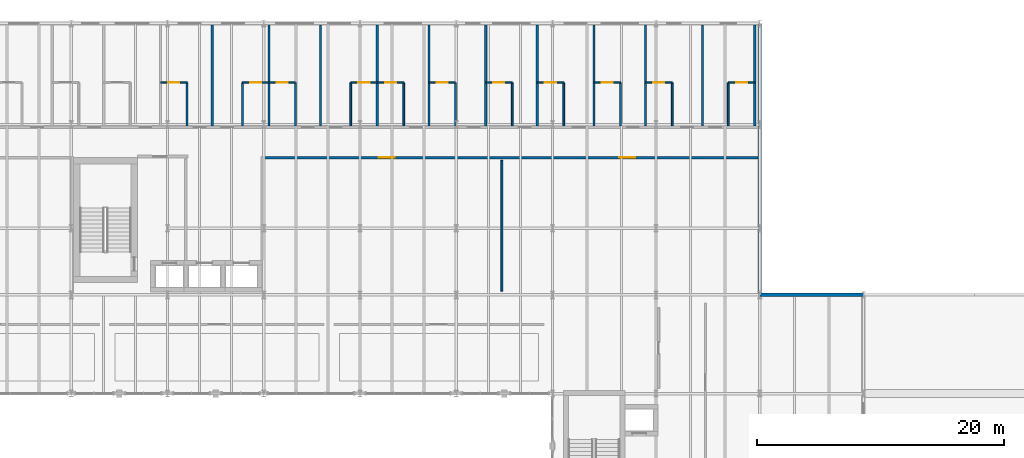
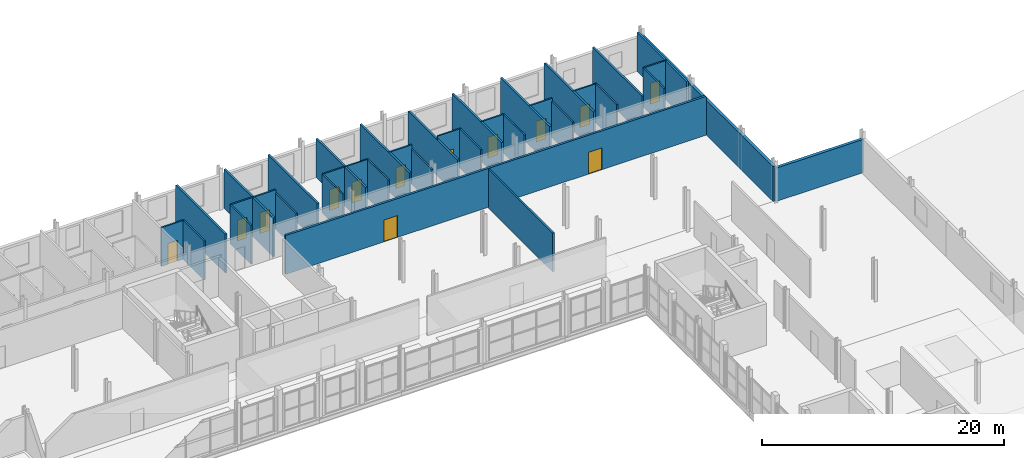
# One storey, part 49 of 58: 37 walls, 13 doors, 13 openings.
"""IFC4 building model written with IfcOpenShell, lengths in metres."""

from ifc_helpers import new_model, si_unit, direction, frame, frame_2d, origin, place, context, subcontext, project, spatial, rectangle, extrude, material, layer, layer_set, type_object, element, fill, save


model = new_model("IFC4")

# Units and contexts
model_context = context("Model", 3, precision=1e-05, world=origin(), true_north=direction((0.0, 1.0)))
body_context = subcontext(model_context, "Body", "Model", "MODEL_VIEW")
ifc_project = project(units=[si_unit("LENGTHUNIT", "METRE"), si_unit("AREAUNIT", "SQUARE_METRE"), si_unit("VOLUMEUNIT", "CUBIC_METRE"), si_unit("PLANEANGLEUNIT", "RADIAN"), si_unit("MASSUNIT", "GRAM", prefix="KILO")], contexts=[model_context])

# Site, building, storey
site_placement = place(None, origin())
site = spatial("IfcSite", under=ifc_project, at=site_placement, CompositionType="ELEMENT")
building_placement = place(site_placement, origin())
building = spatial("IfcBuilding", under=site, at=building_placement, Name="Sefraquen Railside Congress Hotel", CompositionType="ELEMENT")
storey_placement = place(building_placement, frame((0.0, 0.0, 16.199951171875)))
storey = spatial("IfcBuildingStorey", under=building, at=storey_placement, Name="L03", CompositionType="ELEMENT", Elevation=16.199951171875)

# Walls
ifc_material_1 = material(Name="Ochre Rabat calcarenite limestone and Concrete C40/50 backing", Category="masonry")
ifc_layer_1 = layer(ifc_material_1, 0.280029296875)
ifc_layer_set_1 = layer_set([ifc_layer_1], Name="Ochre Rabat calcarenite limestone and Concrete C40/50 backing")
wall_type_1 = type_object("IfcWallType", Name="TW-EW-280", PredefinedType="STANDARD", material=ifc_layer_set_1)
wall_1_placement = place(storey_placement, frame((120.0, 96.0, 0.0), z_axis=(0.0, 0.0, 1.0), x_axis=(1.0, 0.0, 0.0)))
element("IfcWall", 1, at=wall_1_placement, inside=storey, type_object=wall_type_1, Name="Meeting Wing L03 north return wall", PredefinedType="STANDARD", context=body_context, shape_type="SweptSolid", body=[
    extrude(rectangle(XDim=8.39990234375, YDim=0.280029296875, at=frame_2d((4.199951171875, 0.0))), origin(), (0.0, 0.0, 1.0), 3.360107421875),
])
wall_2_placement = place(storey_placement, frame((120.0, 96.0, 0.0), z_axis=(0.0, 0.0, 1.0), x_axis=(0.0, 1.0, 0.0)))
element("IfcWall", 2, at=wall_2_placement, inside=storey, type_object=wall_type_1, Name="Hotel L03 east gable facade wall", PredefinedType="STANDARD", context=body_context, shape_type="SweptSolid", body=[
    extrude(rectangle(XDim=22.0, YDim=0.280029296875, at=frame_2d((11.0, 0.0))), origin(), (0.0, 0.0, 1.0), 3.510009765625),
])
ifc_material_2 = material(Name="Moisture-resistant gypsum board", Category="gypsum")
ifc_layer_2 = layer(ifc_material_2, 0.139892578125)
ifc_layer_set_2 = layer_set([ifc_layer_2], Name="Moisture-resistant gypsum board")
wall_type_2 = type_object("IfcWallType", Name="TW-PW-140", PredefinedType="PARTITIONING", material=ifc_layer_set_2)
wall_3_placement = place(storey_placement, frame((73.590087890625, 109.699951171875, 0.0), z_axis=(0.0, 0.0, 1.0), x_axis=(0.0, 1.0, 0.0)))
element("IfcWall", 3, at=wall_3_placement, inside=storey, type_object=wall_type_2, Name="En-suite bathroom east wall RM-012", PredefinedType="PARTITIONING", context=body_context, shape_type="SweptSolid", body=[
    extrude(rectangle(XDim=3.5, YDim=0.139892578125, at=frame_2d((1.75, 0.0))), origin(), (0.0, 0.0, 1.0), 3.920166015625),
])

# Wall, opening, door
wall_4_placement = place(storey_placement, frame((71.43994140625, 113.199951171875, 0.0), z_axis=(0.0, 0.0, 1.0), x_axis=(1.0, 0.0, 0.0)))
wall_4 = element("IfcWall", 4, at=wall_4_placement, inside=storey, type_object=wall_type_2, Name="En-suite bathroom north wall RM-012", PredefinedType="PARTITIONING", context=body_context, shape_type="SweptSolid", body=[
    extrude(rectangle(XDim=2.150146484375, YDim=0.139892578125, at=frame_2d((1.0751953125, 0.0))), origin(), (0.0, 0.0, 1.0), 3.920166015625),
])
opening_1_placement = place(wall_4_placement, frame((0.625, 0.0, 0.0)))
opening_1 = element("IfcOpeningElement", 5, at=opening_1_placement, cuts=wall_4, Name="Opening ID-02", PredefinedType="OPENING", context=body_context, shape_type="SweptSolid", body=[
    extrude(rectangle(XDim=0.89990234375, YDim=2.10009765625, at=frame_2d((0.449951171875, 1.050048828125))), frame((0.0, 0.079833984375, 0.0), z_axis=(0.0, -1.0, 0.0), x_axis=(1.0, 0.0, 0.0)), (0.0, 0.0, 1.0), 0.159912109375),
])
ifc_material_3 = material(Name="Lacquered cedar joinery", Category="wood")
door_type_1 = type_object("IfcDoorType", Name="TD-ID-02", OperationType="NOTDEFINED", PredefinedType="DOOR", material=ifc_material_3)
door_1_placement = place(opening_1_placement, origin())
door_1 = element("IfcDoor", 6, at=door_1_placement, inside=storey, type_object=door_type_1, Name="En-suite bathroom door RM-012", OperationType="SINGLE_SWING_LEFT", OverallHeight=2.10009765625, OverallWidth=0.89990234375, PredefinedType="DOOR", context=body_context, shape_type="SweptSolid", body=[
    extrude(rectangle(XDim=0.89990234375, YDim=2.10009765625, at=frame_2d((0.449951171875, 1.050048828125))), frame((0.0, 0.02490234375, 0.0), z_axis=(0.0, -1.0, 0.0), x_axis=(1.0, 0.0, 0.0)), (0.0, 0.0, 1.0), 0.050048828125),
])
fill(opening_1, door_1)

# Wall
wall_5_placement = place(storey_placement, frame((78.072021484375, 109.699951171875, 0.0), z_axis=(0.0, 0.0, 1.0), x_axis=(0.0, 1.0, 0.0)))
element("IfcWall", 7, at=wall_5_placement, inside=storey, type_object=wall_type_2, Name="En-suite bathroom west wall RM-013", PredefinedType="PARTITIONING", context=body_context, shape_type="SweptSolid", body=[
    extrude(rectangle(XDim=3.5, YDim=0.139892578125, at=frame_2d((1.75, 0.0))), origin(), (0.0, 0.0, 1.0), 3.920166015625),
])

# Wall, opening, door
wall_6_placement = place(storey_placement, frame((78.072021484375, 113.199951171875, 0.0), z_axis=(0.0, 0.0, 1.0), x_axis=(1.0, 0.0, 0.0)))
wall_6 = element("IfcWall", 8, at=wall_6_placement, inside=storey, type_object=wall_type_2, Name="En-suite bathroom north wall RM-013", PredefinedType="PARTITIONING", context=body_context, shape_type="SweptSolid", body=[
    extrude(rectangle(XDim=2.14990234375, YDim=0.139892578125, at=frame_2d((1.074951171875, 0.0))), origin(), (0.0, 0.0, 1.0), 3.920166015625),
])
opening_2_placement = place(wall_6_placement, frame((0.625, 0.0, 0.0)))
opening_2 = element("IfcOpeningElement", 9, at=opening_2_placement, cuts=wall_6, Name="Opening ID-02", PredefinedType="OPENING", context=body_context, shape_type="SweptSolid", body=[
    extrude(rectangle(XDim=0.89990234375, YDim=2.10009765625, at=frame_2d((0.449951171875, 1.050048828125))), frame((0.0, 0.079833984375, 0.0), z_axis=(0.0, -1.0, 0.0), x_axis=(1.0, 0.0, 0.0)), (0.0, 0.0, 1.0), 0.159912109375),
])
door_2_placement = place(opening_2_placement, origin())
door_2 = element("IfcDoor", 10, at=door_2_placement, inside=storey, type_object=door_type_1, Name="En-suite bathroom door RM-013", OperationType="SINGLE_SWING_LEFT", OverallHeight=2.10009765625, OverallWidth=0.89990234375, PredefinedType="DOOR", context=body_context, shape_type="SweptSolid", body=[
    extrude(rectangle(XDim=0.89990234375, YDim=2.10009765625, at=frame_2d((0.449951171875, 1.050048828125))), frame((0.0, 0.02490234375, 0.0), z_axis=(0.0, -1.0, 0.0), x_axis=(1.0, 0.0, 0.0)), (0.0, 0.0, 1.0), 0.050048828125),
])
fill(opening_2, door_2)

# Wall
wall_7_placement = place(storey_placement, frame((82.3720703125, 109.699951171875, 0.0), z_axis=(0.0, 0.0, 1.0), x_axis=(0.0, 1.0, 0.0)))
element("IfcWall", 11, at=wall_7_placement, inside=storey, type_object=wall_type_2, Name="En-suite bathroom east wall RM-014", PredefinedType="PARTITIONING", context=body_context, shape_type="SweptSolid", body=[
    extrude(rectangle(XDim=3.5, YDim=0.139892578125, at=frame_2d((1.75, 0.0))), origin(), (0.0, 0.0, 1.0), 3.610107421875),
])

# Wall, opening, door
wall_8_placement = place(storey_placement, frame((80.221923828125, 113.199951171875, 0.0), z_axis=(0.0, 0.0, 1.0), x_axis=(1.0, 0.0, 0.0)))
wall_8 = element("IfcWall", 12, at=wall_8_placement, inside=storey, type_object=wall_type_2, Name="En-suite bathroom north wall RM-014", PredefinedType="PARTITIONING", context=body_context, shape_type="SweptSolid", body=[
    extrude(rectangle(XDim=2.150146484375, YDim=0.139892578125, at=frame_2d((1.0751953125, 0.0))), origin(), (0.0, 0.0, 1.0), 3.920166015625),
])
opening_3_placement = place(wall_8_placement, frame((0.625, 0.0, 0.0)))
opening_3 = element("IfcOpeningElement", 13, at=opening_3_placement, cuts=wall_8, Name="Opening ID-02", PredefinedType="OPENING", context=body_context, shape_type="SweptSolid", body=[
    extrude(rectangle(XDim=0.89990234375, YDim=2.10009765625, at=frame_2d((0.449951171875, 1.050048828125))), frame((0.0, 0.079833984375, 0.0), z_axis=(0.0, -1.0, 0.0), x_axis=(1.0, 0.0, 0.0)), (0.0, 0.0, 1.0), 0.159912109375),
])
door_3_placement = place(opening_3_placement, origin())
door_3 = element("IfcDoor", 14, at=door_3_placement, inside=storey, type_object=door_type_1, Name="En-suite bathroom door RM-014", OperationType="SINGLE_SWING_LEFT", OverallHeight=2.10009765625, OverallWidth=0.89990234375, PredefinedType="DOOR", context=body_context, shape_type="SweptSolid", body=[
    extrude(rectangle(XDim=0.89990234375, YDim=2.10009765625, at=frame_2d((0.449951171875, 1.050048828125))), frame((0.0, 0.02490234375, 0.0), z_axis=(0.0, -1.0, 0.0), x_axis=(1.0, 0.0, 0.0)), (0.0, 0.0, 1.0), 0.050048828125),
])
fill(opening_3, door_3)

# Wall
wall_9_placement = place(storey_placement, frame((86.85400390625, 109.699951171875, 0.0), z_axis=(0.0, 0.0, 1.0), x_axis=(0.0, 1.0, 0.0)))
element("IfcWall", 15, at=wall_9_placement, inside=storey, type_object=wall_type_2, Name="En-suite bathroom west wall RM-015", PredefinedType="PARTITIONING", context=body_context, shape_type="SweptSolid", body=[
    extrude(rectangle(XDim=3.5, YDim=0.139892578125, at=frame_2d((1.75, 0.0))), origin(), (0.0, 0.0, 1.0), 3.920166015625),
])

# Wall, opening, door
wall_10_placement = place(storey_placement, frame((86.85400390625, 113.199951171875, 0.0), z_axis=(0.0, 0.0, 1.0), x_axis=(1.0, 0.0, 0.0)))
wall_10 = element("IfcWall", 16, at=wall_10_placement, inside=storey, type_object=wall_type_2, Name="En-suite bathroom north wall RM-015", PredefinedType="PARTITIONING", context=body_context, shape_type="SweptSolid", body=[
    extrude(rectangle(XDim=2.14990234375, YDim=0.139892578125, at=frame_2d((1.074951171875, 0.0))), origin(), (0.0, 0.0, 1.0), 3.920166015625),
])
opening_4_placement = place(wall_10_placement, frame((0.625, 0.0, 0.0)))
opening_4 = element("IfcOpeningElement", 17, at=opening_4_placement, cuts=wall_10, Name="Opening ID-02", PredefinedType="OPENING", context=body_context, shape_type="SweptSolid", body=[
    extrude(rectangle(XDim=0.89990234375, YDim=2.10009765625, at=frame_2d((0.449951171875, 1.050048828125))), frame((0.0, 0.079833984375, 0.0), z_axis=(0.0, -1.0, 0.0), x_axis=(1.0, 0.0, 0.0)), (0.0, 0.0, 1.0), 0.159912109375),
])
door_4_placement = place(opening_4_placement, origin())
door_4 = element("IfcDoor", 18, at=door_4_placement, inside=storey, type_object=door_type_1, Name="En-suite bathroom door RM-015", OperationType="SINGLE_SWING_LEFT", OverallHeight=2.10009765625, OverallWidth=0.89990234375, PredefinedType="DOOR", context=body_context, shape_type="SweptSolid", body=[
    extrude(rectangle(XDim=0.89990234375, YDim=2.10009765625, at=frame_2d((0.449951171875, 1.050048828125))), frame((0.0, 0.02490234375, 0.0), z_axis=(0.0, -1.0, 0.0), x_axis=(1.0, 0.0, 0.0)), (0.0, 0.0, 1.0), 0.050048828125),
])
fill(opening_4, door_4)

# Wall
wall_11_placement = place(storey_placement, frame((91.154052734375, 109.699951171875, 0.0), z_axis=(0.0, 0.0, 1.0), x_axis=(0.0, 1.0, 0.0)))
element("IfcWall", 19, at=wall_11_placement, inside=storey, type_object=wall_type_2, Name="En-suite bathroom east wall RM-016", PredefinedType="PARTITIONING", context=body_context, shape_type="SweptSolid", body=[
    extrude(rectangle(XDim=3.5, YDim=0.139892578125, at=frame_2d((1.75, 0.0))), origin(), (0.0, 0.0, 1.0), 3.920166015625),
])

# Wall, opening, door
wall_12_placement = place(storey_placement, frame((89.00390625, 113.199951171875, 0.0), z_axis=(0.0, 0.0, 1.0), x_axis=(1.0, 0.0, 0.0)))
wall_12 = element("IfcWall", 20, at=wall_12_placement, inside=storey, type_object=wall_type_2, Name="En-suite bathroom north wall RM-016", PredefinedType="PARTITIONING", context=body_context, shape_type="SweptSolid", body=[
    extrude(rectangle(XDim=2.150146484375, YDim=0.139892578125, at=frame_2d((1.0751953125, 0.0))), origin(), (0.0, 0.0, 1.0), 3.920166015625),
])
opening_5_placement = place(wall_12_placement, frame((0.625, 0.0, 0.0)))
opening_5 = element("IfcOpeningElement", 21, at=opening_5_placement, cuts=wall_12, Name="Opening ID-02", PredefinedType="OPENING", context=body_context, shape_type="SweptSolid", body=[
    extrude(rectangle(XDim=0.89990234375, YDim=2.10009765625, at=frame_2d((0.449951171875, 1.050048828125))), frame((0.0, 0.079833984375, 0.0), z_axis=(0.0, -1.0, 0.0), x_axis=(1.0, 0.0, 0.0)), (0.0, 0.0, 1.0), 0.159912109375),
])
door_5_placement = place(opening_5_placement, origin())
door_5 = element("IfcDoor", 22, at=door_5_placement, inside=storey, type_object=door_type_1, Name="En-suite bathroom door RM-016", OperationType="SINGLE_SWING_LEFT", OverallHeight=2.10009765625, OverallWidth=0.89990234375, PredefinedType="DOOR", context=body_context, shape_type="SweptSolid", body=[
    extrude(rectangle(XDim=0.89990234375, YDim=2.10009765625, at=frame_2d((0.449951171875, 1.050048828125))), frame((0.0, 0.02490234375, 0.0), z_axis=(0.0, -1.0, 0.0), x_axis=(1.0, 0.0, 0.0)), (0.0, 0.0, 1.0), 0.050048828125),
])
fill(opening_5, door_5)

# Wall
wall_13_placement = place(storey_placement, frame((95.3349609375, 109.699951171875, 0.0), z_axis=(0.0, 0.0, 1.0), x_axis=(0.0, 1.0, 0.0)))
element("IfcWall", 23, at=wall_13_placement, inside=storey, type_object=wall_type_2, Name="En-suite bathroom east wall RM-017", PredefinedType="PARTITIONING", context=body_context, shape_type="SweptSolid", body=[
    extrude(rectangle(XDim=3.5, YDim=0.139892578125, at=frame_2d((1.75, 0.0))), origin(), (0.0, 0.0, 1.0), 3.510009765625),
])

# Wall, opening, door
wall_14_placement = place(storey_placement, frame((93.18505859375, 113.199951171875, 0.0), z_axis=(0.0, 0.0, 1.0), x_axis=(1.0, 0.0, 0.0)))
wall_14 = element("IfcWall", 24, at=wall_14_placement, inside=storey, type_object=wall_type_2, Name="En-suite bathroom north wall RM-017", PredefinedType="PARTITIONING", context=body_context, shape_type="SweptSolid", body=[
    extrude(rectangle(XDim=2.14990234375, YDim=0.139892578125, at=frame_2d((1.074951171875, 0.0))), origin(), (0.0, 0.0, 1.0), 3.920166015625),
])
opening_6_placement = place(wall_14_placement, frame((0.625, 0.0, 0.0)))
opening_6 = element("IfcOpeningElement", 25, at=opening_6_placement, cuts=wall_14, Name="Opening ID-02", PredefinedType="OPENING", context=body_context, shape_type="SweptSolid", body=[
    extrude(rectangle(XDim=0.89990234375, YDim=2.10009765625, at=frame_2d((0.449951171875, 1.050048828125))), frame((0.0, 0.079833984375, 0.0), z_axis=(0.0, -1.0, 0.0), x_axis=(1.0, 0.0, 0.0)), (0.0, 0.0, 1.0), 0.159912109375),
])
door_6_placement = place(opening_6_placement, origin())
door_6 = element("IfcDoor", 26, at=door_6_placement, inside=storey, type_object=door_type_1, Name="En-suite bathroom door RM-017", OperationType="SINGLE_SWING_LEFT", OverallHeight=2.10009765625, OverallWidth=0.89990234375, PredefinedType="DOOR", context=body_context, shape_type="SweptSolid", body=[
    extrude(rectangle(XDim=0.89990234375, YDim=2.10009765625, at=frame_2d((0.449951171875, 1.050048828125))), frame((0.0, 0.02490234375, 0.0), z_axis=(0.0, -1.0, 0.0), x_axis=(1.0, 0.0, 0.0)), (0.0, 0.0, 1.0), 0.050048828125),
])
fill(opening_6, door_6)

# Wall
wall_15_placement = place(storey_placement, frame((99.93505859375, 109.699951171875, 0.0), z_axis=(0.0, 0.0, 1.0), x_axis=(0.0, 1.0, 0.0)))
element("IfcWall", 27, at=wall_15_placement, inside=storey, type_object=wall_type_2, Name="En-suite bathroom east wall RM-018", PredefinedType="PARTITIONING", context=body_context, shape_type="SweptSolid", body=[
    extrude(rectangle(XDim=3.5, YDim=0.139892578125, at=frame_2d((1.75, 0.0))), origin(), (0.0, 0.0, 1.0), 3.920166015625),
])

# Wall, opening, door
wall_16_placement = place(storey_placement, frame((97.784912109375, 113.199951171875, 0.0), z_axis=(0.0, 0.0, 1.0), x_axis=(1.0, 0.0, 0.0)))
wall_16 = element("IfcWall", 28, at=wall_16_placement, inside=storey, type_object=wall_type_2, Name="En-suite bathroom north wall RM-018", PredefinedType="PARTITIONING", context=body_context, shape_type="SweptSolid", body=[
    extrude(rectangle(XDim=2.150146484375, YDim=0.139892578125, at=frame_2d((1.0751953125, 0.0))), origin(), (0.0, 0.0, 1.0), 3.920166015625),
])
opening_7_placement = place(wall_16_placement, frame((0.625, 0.0, 0.0)))
opening_7 = element("IfcOpeningElement", 29, at=opening_7_placement, cuts=wall_16, Name="Opening ID-02", PredefinedType="OPENING", context=body_context, shape_type="SweptSolid", body=[
    extrude(rectangle(XDim=0.89990234375, YDim=2.10009765625, at=frame_2d((0.449951171875, 1.050048828125))), frame((0.0, 0.079833984375, 0.0), z_axis=(0.0, -1.0, 0.0), x_axis=(1.0, 0.0, 0.0)), (0.0, 0.0, 1.0), 0.159912109375),
])
door_7_placement = place(opening_7_placement, origin())
door_7 = element("IfcDoor", 30, at=door_7_placement, inside=storey, type_object=door_type_1, Name="En-suite bathroom door RM-018", OperationType="SINGLE_SWING_LEFT", OverallHeight=2.10009765625, OverallWidth=0.89990234375, PredefinedType="DOOR", context=body_context, shape_type="SweptSolid", body=[
    extrude(rectangle(XDim=0.89990234375, YDim=2.10009765625, at=frame_2d((0.449951171875, 1.050048828125))), frame((0.0, 0.02490234375, 0.0), z_axis=(0.0, -1.0, 0.0), x_axis=(1.0, 0.0, 0.0)), (0.0, 0.0, 1.0), 0.050048828125),
])
fill(opening_7, door_7)

# Wall
wall_17_placement = place(storey_placement, frame((104.115966796875, 109.699951171875, 0.0), z_axis=(0.0, 0.0, 1.0), x_axis=(0.0, 1.0, 0.0)))
element("IfcWall", 31, at=wall_17_placement, inside=storey, type_object=wall_type_2, Name="En-suite bathroom east wall RM-019", PredefinedType="PARTITIONING", context=body_context, shape_type="SweptSolid", body=[
    extrude(rectangle(XDim=3.5, YDim=0.139892578125, at=frame_2d((1.75, 0.0))), origin(), (0.0, 0.0, 1.0), 3.920166015625),
])

# Wall, opening, door
wall_18_placement = place(storey_placement, frame((101.966064453125, 113.199951171875, 0.0), z_axis=(0.0, 0.0, 1.0), x_axis=(1.0, 0.0, 0.0)))
wall_18 = element("IfcWall", 32, at=wall_18_placement, inside=storey, type_object=wall_type_2, Name="En-suite bathroom north wall RM-019", PredefinedType="PARTITIONING", context=body_context, shape_type="SweptSolid", body=[
    extrude(rectangle(XDim=2.14990234375, YDim=0.139892578125, at=frame_2d((1.074951171875, 0.0))), origin(), (0.0, 0.0, 1.0), 3.920166015625),
])
opening_8_placement = place(wall_18_placement, frame((0.625, 0.0, 0.0)))
opening_8 = element("IfcOpeningElement", 33, at=opening_8_placement, cuts=wall_18, Name="Opening ID-02", PredefinedType="OPENING", context=body_context, shape_type="SweptSolid", body=[
    extrude(rectangle(XDim=0.89990234375, YDim=2.10009765625, at=frame_2d((0.449951171875, 1.050048828125))), frame((0.0, 0.079833984375, 0.0), z_axis=(0.0, -1.0, 0.0), x_axis=(1.0, 0.0, 0.0)), (0.0, 0.0, 1.0), 0.159912109375),
])
door_8_placement = place(opening_8_placement, origin())
door_8 = element("IfcDoor", 34, at=door_8_placement, inside=storey, type_object=door_type_1, Name="En-suite bathroom door RM-019", OperationType="SINGLE_SWING_LEFT", OverallHeight=2.10009765625, OverallWidth=0.89990234375, PredefinedType="DOOR", context=body_context, shape_type="SweptSolid", body=[
    extrude(rectangle(XDim=0.89990234375, YDim=2.10009765625, at=frame_2d((0.449951171875, 1.050048828125))), frame((0.0, 0.02490234375, 0.0), z_axis=(0.0, -1.0, 0.0), x_axis=(1.0, 0.0, 0.0)), (0.0, 0.0, 1.0), 0.050048828125),
])
fill(opening_8, door_8)

# Wall
wall_19_placement = place(storey_placement, frame((108.717041015625, 109.699951171875, 0.0), z_axis=(0.0, 0.0, 1.0), x_axis=(0.0, 1.0, 0.0)))
element("IfcWall", 35, at=wall_19_placement, inside=storey, type_object=wall_type_2, Name="En-suite bathroom east wall RM-020", PredefinedType="PARTITIONING", context=body_context, shape_type="SweptSolid", body=[
    extrude(rectangle(XDim=3.5, YDim=0.139892578125, at=frame_2d((1.75, 0.0))), origin(), (0.0, 0.0, 1.0), 3.610107421875),
])

# Wall, opening, door
wall_20_placement = place(storey_placement, frame((106.56689453125, 113.199951171875, 0.0), z_axis=(0.0, 0.0, 1.0), x_axis=(1.0, 0.0, 0.0)))
wall_20 = element("IfcWall", 36, at=wall_20_placement, inside=storey, type_object=wall_type_2, Name="En-suite bathroom north wall RM-020", PredefinedType="PARTITIONING", context=body_context, shape_type="SweptSolid", body=[
    extrude(rectangle(XDim=2.150146484375, YDim=0.139892578125, at=frame_2d((1.0751953125, 0.0))), origin(), (0.0, 0.0, 1.0), 3.920166015625),
])
opening_9_placement = place(wall_20_placement, frame((0.625, 0.0, 0.0)))
opening_9 = element("IfcOpeningElement", 37, at=opening_9_placement, cuts=wall_20, Name="Opening ID-02", PredefinedType="OPENING", context=body_context, shape_type="SweptSolid", body=[
    extrude(rectangle(XDim=0.89990234375, YDim=2.10009765625, at=frame_2d((0.449951171875, 1.050048828125))), frame((0.0, 0.079833984375, 0.0), z_axis=(0.0, -1.0, 0.0), x_axis=(1.0, 0.0, 0.0)), (0.0, 0.0, 1.0), 0.159912109375),
])
door_9_placement = place(opening_9_placement, origin())
door_9 = element("IfcDoor", 38, at=door_9_placement, inside=storey, type_object=door_type_1, Name="En-suite bathroom door RM-020", OperationType="SINGLE_SWING_LEFT", OverallHeight=2.10009765625, OverallWidth=0.89990234375, PredefinedType="DOOR", context=body_context, shape_type="SweptSolid", body=[
    extrude(rectangle(XDim=0.89990234375, YDim=2.10009765625, at=frame_2d((0.449951171875, 1.050048828125))), frame((0.0, 0.02490234375, 0.0), z_axis=(0.0, -1.0, 0.0), x_axis=(1.0, 0.0, 0.0)), (0.0, 0.0, 1.0), 0.050048828125),
])
fill(opening_9, door_9)

# Wall
wall_21_placement = place(storey_placement, frame((112.89794921875, 109.699951171875, 0.0), z_axis=(0.0, 0.0, 1.0), x_axis=(0.0, 1.0, 0.0)))
element("IfcWall", 39, at=wall_21_placement, inside=storey, type_object=wall_type_2, Name="En-suite bathroom east wall RM-021", PredefinedType="PARTITIONING", context=body_context, shape_type="SweptSolid", body=[
    extrude(rectangle(XDim=3.5, YDim=0.139892578125, at=frame_2d((1.75, 0.0))), origin(), (0.0, 0.0, 1.0), 3.920166015625),
])

# Wall, opening, door
wall_22_placement = place(storey_placement, frame((110.748046875, 113.199951171875, 0.0), z_axis=(0.0, 0.0, 1.0), x_axis=(1.0, 0.0, 0.0)))
wall_22 = element("IfcWall", 40, at=wall_22_placement, inside=storey, type_object=wall_type_2, Name="En-suite bathroom north wall RM-021", PredefinedType="PARTITIONING", context=body_context, shape_type="SweptSolid", body=[
    extrude(rectangle(XDim=2.14990234375, YDim=0.139892578125, at=frame_2d((1.074951171875, 0.0))), origin(), (0.0, 0.0, 1.0), 3.920166015625),
])
opening_10_placement = place(wall_22_placement, frame((0.625, 0.0, 0.0)))
opening_10 = element("IfcOpeningElement", 41, at=opening_10_placement, cuts=wall_22, Name="Opening ID-02", PredefinedType="OPENING", context=body_context, shape_type="SweptSolid", body=[
    extrude(rectangle(XDim=0.89990234375, YDim=2.10009765625, at=frame_2d((0.449951171875, 1.050048828125))), frame((0.0, 0.079833984375, 0.0), z_axis=(0.0, -1.0, 0.0), x_axis=(1.0, 0.0, 0.0)), (0.0, 0.0, 1.0), 0.159912109375),
])
door_10_placement = place(opening_10_placement, origin())
door_10 = element("IfcDoor", 42, at=door_10_placement, inside=storey, type_object=door_type_1, Name="En-suite bathroom door RM-021", OperationType="SINGLE_SWING_LEFT", OverallHeight=2.10009765625, OverallWidth=0.89990234375, PredefinedType="DOOR", context=body_context, shape_type="SweptSolid", body=[
    extrude(rectangle(XDim=0.89990234375, YDim=2.10009765625, at=frame_2d((0.449951171875, 1.050048828125))), frame((0.0, 0.02490234375, 0.0), z_axis=(0.0, -1.0, 0.0), x_axis=(1.0, 0.0, 0.0)), (0.0, 0.0, 1.0), 0.050048828125),
])
fill(opening_10, door_10)

# Wall
wall_23_placement = place(storey_placement, frame((117.449951171875, 109.699951171875, 0.0), z_axis=(0.0, 0.0, 1.0), x_axis=(0.0, 1.0, 0.0)))
element("IfcWall", 43, at=wall_23_placement, inside=storey, type_object=wall_type_2, Name="En-suite bathroom west wall RM-022", PredefinedType="PARTITIONING", context=body_context, shape_type="SweptSolid", body=[
    extrude(rectangle(XDim=3.5, YDim=0.139892578125, at=frame_2d((1.75, 0.0))), origin(), (0.0, 0.0, 1.0), 3.920166015625),
])

# Wall, opening, door
wall_24_placement = place(storey_placement, frame((117.449951171875, 113.199951171875, 0.0), z_axis=(0.0, 0.0, 1.0), x_axis=(1.0, 0.0, 0.0)))
wall_24 = element("IfcWall", 44, at=wall_24_placement, inside=storey, type_object=wall_type_2, Name="En-suite bathroom north wall RM-022", PredefinedType="PARTITIONING", context=body_context, shape_type="SweptSolid", body=[
    extrude(rectangle(XDim=2.150146484375, YDim=0.139892578125, at=frame_2d((1.0751953125, 0.0))), origin(), (0.0, 0.0, 1.0), 3.920166015625),
])
opening_11_placement = place(wall_24_placement, frame((0.625, 0.0, 0.0)))
opening_11 = element("IfcOpeningElement", 45, at=opening_11_placement, cuts=wall_24, Name="Opening ID-02", PredefinedType="OPENING", context=body_context, shape_type="SweptSolid", body=[
    extrude(rectangle(XDim=0.89990234375, YDim=2.10009765625, at=frame_2d((0.449951171875, 1.050048828125))), frame((0.0, 0.079833984375, 0.0), z_axis=(0.0, -1.0, 0.0), x_axis=(1.0, 0.0, 0.0)), (0.0, 0.0, 1.0), 0.159912109375),
])
door_11_placement = place(opening_11_placement, origin())
door_11 = element("IfcDoor", 46, at=door_11_placement, inside=storey, type_object=door_type_1, Name="En-suite bathroom door RM-022", OperationType="SINGLE_SWING_LEFT", OverallHeight=2.10009765625, OverallWidth=0.89990234375, PredefinedType="DOOR", context=body_context, shape_type="SweptSolid", body=[
    extrude(rectangle(XDim=0.89990234375, YDim=2.10009765625, at=frame_2d((0.449951171875, 1.050048828125))), frame((0.0, 0.02490234375, 0.0), z_axis=(0.0, -1.0, 0.0), x_axis=(1.0, 0.0, 0.0)), (0.0, 0.0, 1.0), 0.050048828125),
])
fill(opening_11, door_11)

# Walls
ifc_layer_3 = layer(ifc_material_2, 0.159912109375)
ifc_layer_set_3 = layer_set([ifc_layer_3], Name="Moisture-resistant gypsum board")
wall_type_3 = type_object("IfcWallType", Name="TW-PW-160", PredefinedType="PARTITIONING", material=ifc_layer_set_3)
wall_25_placement = place(storey_placement, frame((99.10009765625, 96.300048828125, 0.0), z_axis=(0.0, 0.0, 1.0), x_axis=(0.0, 1.0, 0.0)))
element("IfcWall", 47, at=wall_25_placement, inside=storey, type_object=wall_type_3, Name="Breakout seminar divider L03", PredefinedType="PARTITIONING", context=body_context, shape_type="SweptSolid", body=[
    extrude(rectangle(XDim=10.599853515625, YDim=0.159912109375, at=frame_2d((5.2998046875, 0.0))), origin(), (0.0, 0.0, 1.0), 3.920166015625),
])
ifc_material_4 = material(Name="Acoustic gypsum board on metal stud", Category="gypsum")
ifc_layer_4 = layer(ifc_material_4, 0.179931640625)
ifc_layer_set_4 = layer_set([ifc_layer_4], Name="Acoustic gypsum board on metal stud")
wall_type_4 = type_object("IfcWallType", Name="TW-PW-180", PredefinedType="PARTITIONING", material=ifc_layer_set_4)
for number, where, z_axis, x_axis, name in (
    (48, (75.62109375, 109.699951171875, 0.0), (0.0, 0.0, 1.0), (0.0, 1.0, 0.0), "Guest room demising wall RM-012"),
    (49, (80.221923828125, 109.699951171875, 0.0), (0.0, 0.0, 1.0), (0.0, 1.0, 0.0), "Guest room demising wall RM-013"),
    (50, (84.403076171875, 109.699951171875, 0.0), (0.0, 0.0, 1.0), (0.0, 1.0, 0.0), "Guest room demising wall RM-014"),
    (51, (89.00390625, 109.699951171875, 0.0), (0.0, 0.0, 1.0), (0.0, 1.0, 0.0), "Guest room demising wall RM-015"),
    (52, (93.18505859375, 109.699951171875, 0.0), (0.0, 0.0, 1.0), (0.0, 1.0, 0.0), "Guest room demising wall RM-016"),
):
    element("IfcWall", number, at=place(storey_placement, frame(where, z_axis=z_axis, x_axis=x_axis)), inside=storey, type_object=wall_type_4, Name=name, PredefinedType="PARTITIONING", context=body_context, shape_type="SweptSolid", body=[
        extrude(rectangle(XDim=8.150146484375, YDim=0.179931640625, at=frame_2d((4.0751953125, 0.0))), origin(), (0.0, 0.0, 1.0), 3.920166015625),
    ])
wall_26_placement = place(storey_placement, frame((97.784912109375, 109.699951171875, 0.0), z_axis=(0.0, 0.0, 1.0), x_axis=(0.0, 1.0, 0.0)))
element("IfcWall", 53, at=wall_26_placement, inside=storey, type_object=wall_type_4, Name="Guest room demising wall RM-017", PredefinedType="PARTITIONING", context=body_context, shape_type="SweptSolid", body=[
    extrude(rectangle(XDim=8.150146484375, YDim=0.179931640625, at=frame_2d((4.0751953125, 0.0))), origin(), (0.0, 0.0, 1.0), 3.610107421875),
])
for number, where, z_axis, x_axis, name in (
    (54, (101.966064453125, 109.699951171875, 0.0), (0.0, 0.0, 1.0), (0.0, 1.0, 0.0), "Guest room demising wall RM-018"),
    (55, (106.56689453125, 109.699951171875, 0.0), (0.0, 0.0, 1.0), (0.0, 1.0, 0.0), "Guest room demising wall RM-019"),
    (56, (110.748046875, 109.699951171875, 0.0), (0.0, 0.0, 1.0), (0.0, 1.0, 0.0), "Guest room demising wall RM-020"),
    (57, (115.34912109375, 109.699951171875, 0.0), (0.0, 0.0, 1.0), (0.0, 1.0, 0.0), "Guest room demising wall RM-021"),
    (58, (119.60009765625, 109.699951171875, 0.0), (0.0, 0.0, 1.0), (0.0, 1.0, 0.0), "Guest room demising wall RM-022"),
):
    element("IfcWall", number, at=place(storey_placement, frame(where, z_axis=z_axis, x_axis=x_axis)), inside=storey, type_object=wall_type_4, Name=name, PredefinedType="PARTITIONING", context=body_context, shape_type="SweptSolid", body=[
        extrude(rectangle(XDim=8.150146484375, YDim=0.179931640625, at=frame_2d((4.0751953125, 0.0))), origin(), (0.0, 0.0, 1.0), 3.920166015625),
    ])

# Wall, openings, doors
ifc_layer_5 = layer(ifc_material_4, 0.199951171875)
ifc_layer_set_5 = layer_set([ifc_layer_5], Name="Acoustic gypsum board on metal stud")
wall_type_5 = type_object("IfcWallType", Name="TW-PW-200", PredefinedType="PARTITIONING", material=ifc_layer_set_5)
wall_27_placement = place(storey_placement, frame((79.760009765625, 107.1201171875, 0.0), z_axis=(0.0, 0.0, 1.0), x_axis=(1.0, 0.0, 0.0)))
wall_27 = element("IfcWall", 59, at=wall_27_placement, inside=storey, type_object=wall_type_5, Name="Hotel L03 south-east corridor fire-rated partition", PredefinedType="PARTITIONING", context=body_context, shape_type="SweptSolid", body=[
    extrude(rectangle(XDim=40.10009765625, YDim=0.199951171875, at=frame_2d((20.050048828125, 0.0))), origin(), (0.0, 0.0, 1.0), 3.920166015625),
])
opening_12_placement = place(wall_27_placement, frame((9.35009765625, 0.0, 0.0)))
opening_12 = element("IfcOpeningElement", 60, at=opening_12_placement, cuts=wall_27, Name="Opening MD-02", PredefinedType="OPENING", context=body_context, shape_type="SweptSolid", body=[
    extrude(rectangle(XDim=1.300048828125, YDim=2.199951171875, at=frame_2d((0.64990234375, 1.10009765625))), frame((0.0, 0.10986328125, 0.0), z_axis=(0.0, -1.0, 0.0), x_axis=(1.0, 0.0, 0.0)), (0.0, 0.0, 1.0), 0.219970703125),
])
opening_13_placement = place(wall_27_placement, frame((28.85009765625, 0.0, 0.0)))
opening_13 = element("IfcOpeningElement", 61, at=opening_13_placement, cuts=wall_27, Name="Opening MD-02", PredefinedType="OPENING", context=body_context, shape_type="SweptSolid", body=[
    extrude(rectangle(XDim=1.300048828125, YDim=2.199951171875, at=frame_2d((0.64990234375, 1.10009765625))), frame((0.0, 0.10986328125, 0.0), z_axis=(0.0, -1.0, 0.0), x_axis=(1.0, 0.0, 0.0)), (0.0, 0.0, 1.0), 0.219970703125),
])
ifc_material_5 = material(Name="Acoustic cedar veneer", Category="wood")
door_type_2 = type_object("IfcDoorType", Name="TD-MD-02", OperationType="NOTDEFINED", PredefinedType="DOOR", material=ifc_material_5)
door_12_placement = place(opening_12_placement, frame((1.300048828125, 0.0, 0.0), z_axis=(0.0, 0.0, 1.0), x_axis=(-1.0, 0.0, 0.0)))
door_12 = element("IfcDoor", 62, at=door_12_placement, inside=storey, type_object=door_type_2, Name="Breakout Seminar Room door L03-E1", OperationType="SINGLE_SWING_LEFT", OverallHeight=2.199951171875, OverallWidth=1.300048828125, PredefinedType="DOOR", context=body_context, shape_type="SweptSolid", body=[
    extrude(rectangle(XDim=1.300048828125, YDim=2.199951171875, at=frame_2d((0.64990234375, 1.10009765625))), frame((0.0, 0.02490234375, 0.0), z_axis=(0.0, -1.0, 0.0), x_axis=(1.0, 0.0, 0.0)), (0.0, 0.0, 1.0), 0.050048828125),
])
fill(opening_12, door_12)
door_13_placement = place(opening_13_placement, frame((1.300048828125, 0.0, 0.0), z_axis=(0.0, 0.0, 1.0), x_axis=(-1.0, 0.0, 0.0)))
door_13 = element("IfcDoor", 63, at=door_13_placement, inside=storey, type_object=door_type_2, Name="Breakout Seminar Room door L03-E2", OperationType="SINGLE_SWING_RIGHT", OverallHeight=2.199951171875, OverallWidth=1.300048828125, PredefinedType="DOOR", context=body_context, shape_type="SweptSolid", body=[
    extrude(rectangle(XDim=1.300048828125, YDim=2.199951171875, at=frame_2d((0.64990234375, 1.10009765625))), frame((0.0, 0.02490234375, 0.0), z_axis=(0.0, -1.0, 0.0), x_axis=(1.0, 0.0, 0.0)), (0.0, 0.0, 1.0), 0.050048828125),
])
fill(opening_13, door_13)

save(model, "model.ifc")
